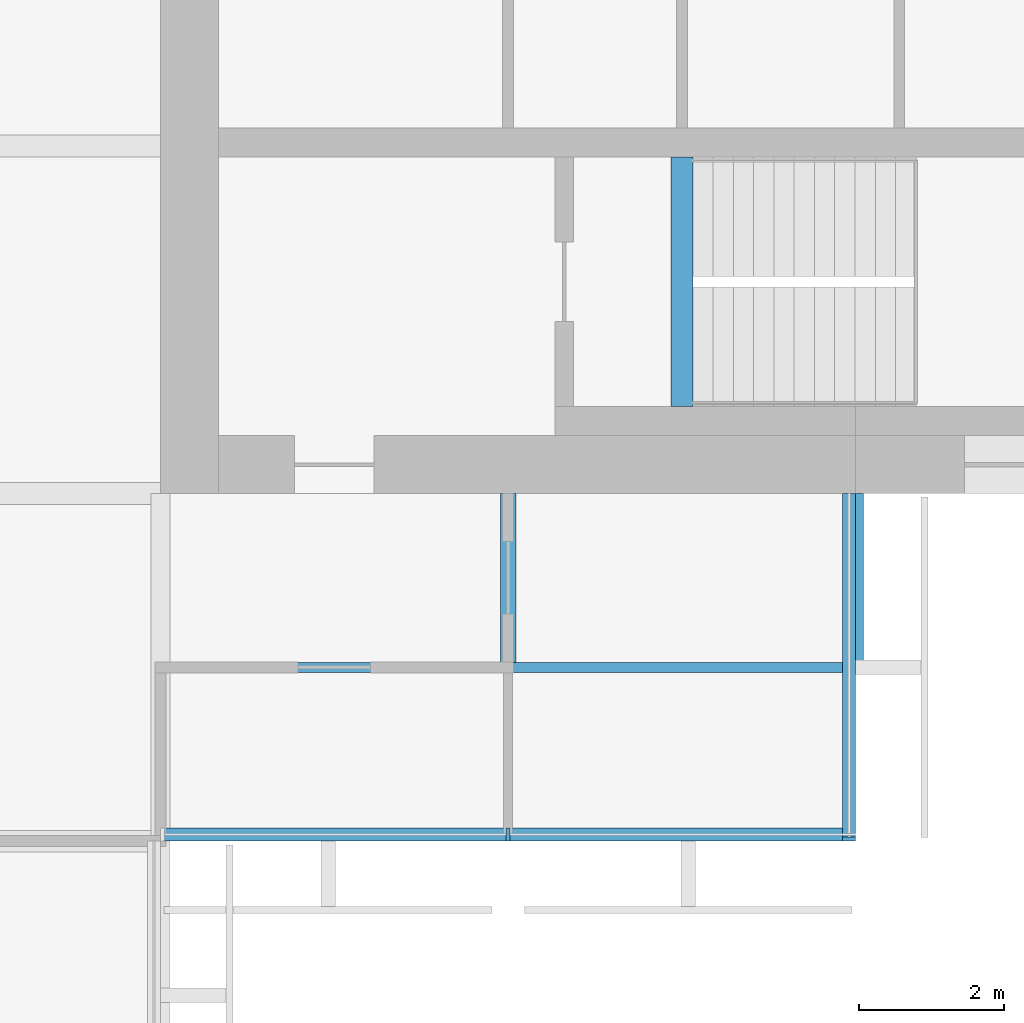
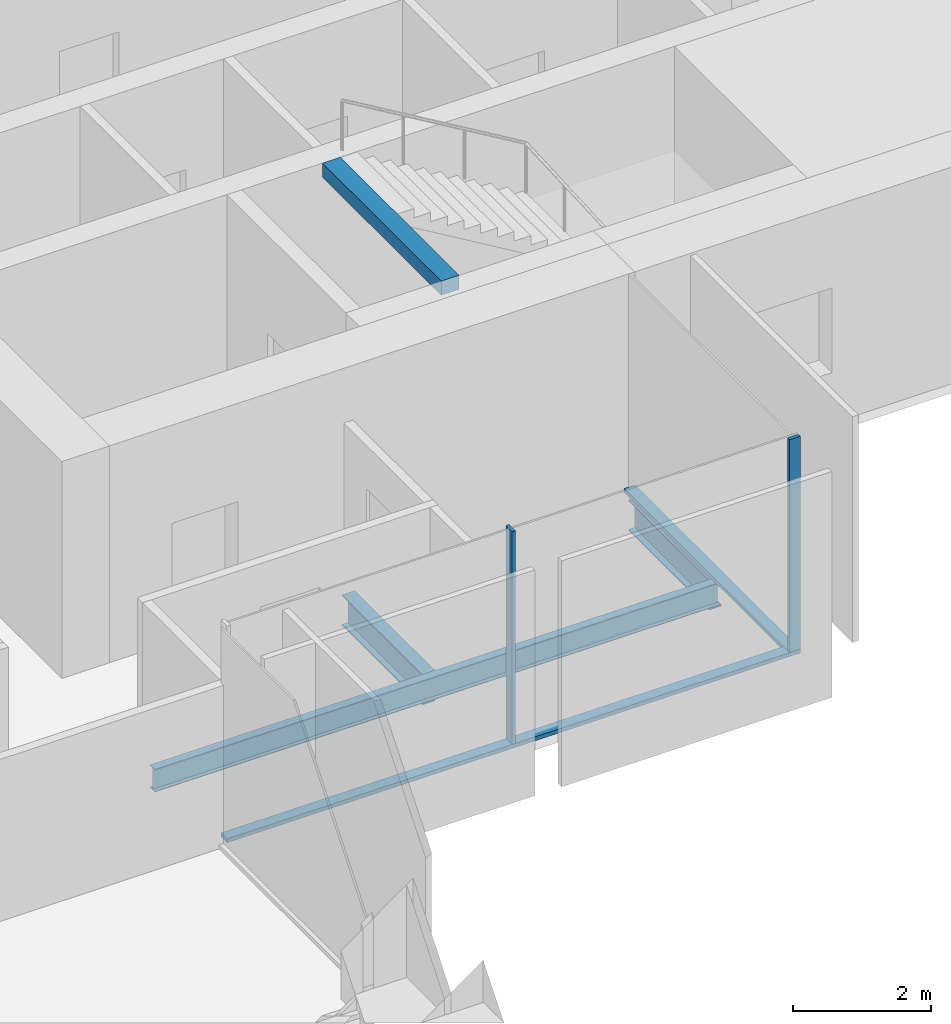
# One storey, part 4 of 13: 4 beams, 4 members, 2 elements without a shape of their own.
"""IFC4 building model written with IfcOpenShell, lengths in metres."""

from ifc_helpers import new_model, si_unit, direction, frame, origin, origin_2d, place, context, subcontext, project, spatial, rectangle, i_section, extrude, material, material_profile, profile_set, type_object, element, aggregate, save


model = new_model("IFC4")

# Units and contexts
model_context = context("Model", 3, precision=1e-05, world=origin(), true_north=direction((0.0, 1.0)))
body_context = subcontext(model_context, "Body", "Model", "MODEL_VIEW")
ifc_project = project(units=[si_unit("LENGTHUNIT", "METRE"), si_unit("AREAUNIT", "SQUARE_METRE"), si_unit("VOLUMEUNIT", "CUBIC_METRE"), si_unit("PLANEANGLEUNIT", "RADIAN"), si_unit("MASSUNIT", "GRAM", prefix="KILO")], contexts=[model_context])

# Site, building, storey
site_placement = place(None, origin())
site = spatial("IfcSite", under=ifc_project, at=site_placement, CompositionType="ELEMENT")
building_placement = place(site_placement, origin())
building = spatial("IfcBuilding", under=site, at=building_placement, Name="Baori Bourse Tower", CompositionType="ELEMENT")
storey_placement = place(building_placement, frame((0.0, 0.0, 213.199951171875)))
storey = spatial("IfcBuildingStorey", under=building, at=storey_placement, Name="L46", CompositionType="ELEMENT", Elevation=213.199951171875)

# Curtain wall, member
ifc_material_1 = material(Name="Pale anodised aluminium", Category="aluminium")
curtain_wall_type = type_object("IfcCurtainWallType", Name="CW2 Curtain wall", PredefinedType="NOTDEFINED", material=ifc_material_1)
curtain_wall_1_placement = place(storey_placement, origin())
curtain_wall_1 = element("IfcCurtainWall", 1, at=curtain_wall_1_placement, inside=storey, type_object=curtain_wall_type, Name="Curtain wall CW2 L46 13", PredefinedType="NOTDEFINED")
ifc_material_2 = material(Name="Pale anodised aluminium", Category="aluminium")
ifc_material_profile_1 = material_profile(ifc_material_2, rectangle(XDim=0.179931640625, YDim=0.054931640625, at=origin_2d()), Name="Mullion 55x180")
ifc_profile_set_1 = profile_set([ifc_material_profile_1], Name="Pale anodised aluminium")
member_type_1 = type_object("IfcMemberType", Name="CW2 Curtain wall mullion", PredefinedType="MULLION", material=ifc_profile_set_1)
member_1_placement = place(storey_placement, frame((43.199951171875, 4.889892578125, 0.070068359375), z_axis=(0.0, 0.0, 1.0), x_axis=(0.0, 1.0, 0.0)))
member_1 = element("IfcMember", 2, at=member_1_placement, type_object=member_type_1, Name="Curtain wall CW2 mullion", PredefinedType="MULLION", context=body_context, shape_type="SweptSolid", body=[
    extrude(rectangle(XDim=0.179931640625, YDim=0.054931640625, at=origin_2d()), origin(), (0.0, 0.0, 1.0), 3.77001953125),
])

curtain_wall_2_placement = place(storey_placement, origin())
curtain_wall_2 = element("IfcCurtainWall", 3, at=curtain_wall_2_placement, inside=storey, type_object=curtain_wall_type, Name="Curtain wall CW2 L46 14", PredefinedType="NOTDEFINED")
member_2_placement = place(storey_placement, frame((47.909912109375, 4.827392578125, 0.070068359375), z_axis=(0.0, 0.0, 1.0), x_axis=(-1.0, 0.0, 0.0)))
member_2 = element("IfcMember", 4, at=member_2_placement, type_object=member_type_1, Name="Curtain wall CW2 mullion", PredefinedType="MULLION", context=body_context, shape_type="SweptSolid", body=[
    extrude(rectangle(XDim=0.179931640625, YDim=0.054931640625, at=origin_2d()), origin(), (0.0, 0.0, 1.0), 3.77001953125),
])

# Member
ifc_material_3 = material(Name="Pale anodised aluminium", Category="aluminium")
ifc_material_profile_2 = material_profile(ifc_material_3, rectangle(XDim=0.179931640625, YDim=0.070068359375, at=origin_2d()), Name="Transom 70x180")
ifc_profile_set_2 = profile_set([ifc_material_profile_2], Name="Pale anodised aluminium")
member_type_2 = type_object("IfcMemberType", Name="CW2 Curtain wall transom", PredefinedType="USERDEFINED", material=ifc_profile_set_2)
member_3_placement = place(storey_placement, frame((38.39990234375, 4.889892578125, 0.03515625), z_axis=(1.0, 0.0, 0.0), x_axis=(0.0, 1.0, 0.0)))
member_3 = element("IfcMember", 5, at=member_3_placement, type_object=member_type_2, Name="Curtain wall CW2 sill rail", ObjectType="TRANSOM", PredefinedType="USERDEFINED", context=body_context, shape_type="SweptSolid", body=[
    extrude(rectangle(XDim=0.179931640625, YDim=0.070068359375, at=origin_2d()), origin(), (0.0, 0.0, 1.0), 9.60009765625),
])

aggregate(curtain_wall_1, [member_3, member_1])

member_4_placement = place(storey_placement, frame((47.909912109375, 4.800048828125, 0.03515625), z_axis=(0.0, 1.0, 0.0), x_axis=(-1.0, 0.0, 0.0)))
member_4 = element("IfcMember", 6, at=member_4_placement, type_object=member_type_2, Name="Curtain wall CW2 sill rail", ObjectType="TRANSOM", PredefinedType="USERDEFINED", context=body_context, shape_type="SweptSolid", body=[
    extrude(rectangle(XDim=0.179931640625, YDim=0.070068359375, at=origin_2d()), origin(), (0.0, 0.0, 1.0), 4.800048828125),
])

aggregate(curtain_wall_2, [member_4, member_2])

# Beams
ifc_material_4 = material(Name="Steel A992 Gr 50", Category="steel")
ifc_material_profile_3 = material_profile(ifc_material_4, i_section(OverallWidth=0.21240234375, OverallDepth=0.54345703125, WebThickness=0.01318359375, FlangeThickness=0.021240234375, at=origin_2d()), Name="W21x83")
ifc_profile_set_3 = profile_set([ifc_material_profile_3], Name="Steel A992 Gr 50")
beam_type_1 = type_object("IfcBeamType", Name="Core bracket W21x83", PredefinedType="BEAM", material=ifc_profile_set_3)
for number, where, z_axis, x_axis, name in (
    (7, (43.199951171875, 7.270263671875, -0.431640625), (0.0, 1.0, 0.0), (-1.0, 0.0, 0.0), "Core bracket L46"),
    (8, (48.0, 7.270263671875, -0.431640625), (0.0, 1.0, 0.0), (-1.0, 0.0, 0.0), "Core bracket L46"),
):
    element("IfcBeam", number, at=place(storey_placement, frame(where, z_axis=z_axis, x_axis=x_axis)), inside=storey, type_object=beam_type_1, Name=name, PredefinedType="BEAM", context=body_context, shape_type="SweptSolid", body=[
        extrude(i_section(OverallWidth=0.21240234375, OverallDepth=0.54345703125, WebThickness=0.01318359375, FlangeThickness=0.021240234375, at=origin_2d()), origin(), (0.0, 0.0, 1.0), 2.329833984375),
    ])
ifc_material_5 = material(Name="Concrete f'c 50 MPa", Category="concrete")
ifc_material_profile_4 = material_profile(ifc_material_5, rectangle(XDim=0.300048828125, YDim=0.25, at=origin_2d()), Name="RC 300x250")
ifc_profile_set_4 = profile_set([ifc_material_profile_4], Name="Concrete f'c 50 MPa")
beam_type_2 = type_object("IfcBeamType", Name="Stair nib beam RC 300x250", PredefinedType="BEAM", material=ifc_profile_set_4)
beam_1_placement = place(storey_placement, frame((45.60009765625, 10.800048828125, 3.715087890625), z_axis=(0.0, 1.0, 0.0), x_axis=(-1.0, 0.0, 0.0)))
element("IfcBeam", 9, at=beam_1_placement, inside=storey, type_object=beam_type_2, Name="Stair EA nib beam L47", PredefinedType="BEAM", context=body_context, shape_type="SweptSolid", body=[
    extrude(rectangle(XDim=0.300048828125, YDim=0.25, at=origin_2d()), origin(), (0.0, 0.0, 1.0), 3.449951171875),
])
ifc_material_6 = material(Name="Steel A992 Gr 50", Category="steel")
ifc_material_profile_5 = material_profile(ifc_material_6, i_section(OverallWidth=0.140380859375, OverallDepth=0.40380859375, WebThickness=0.007080078125, FlangeThickness=0.01123046875, at=origin_2d()), Name="W16x31")
ifc_profile_set_5 = profile_set([ifc_material_profile_5], Name="Steel A992 Gr 50")
beam_type_3 = type_object("IfcBeamType", Name="Trimmer beam W16x31", PredefinedType="BEAM", material=ifc_profile_set_5)
beam_2_placement = place(storey_placement, frame((38.533447265625, 7.199951171875, -0.36181640625), z_axis=(1.0, 0.0, 0.0), x_axis=(0.0, 1.0, 0.0)))
element("IfcBeam", 10, at=beam_2_placement, inside=storey, type_object=beam_type_3, Name="Trimmer beam L46", PredefinedType="BEAM", context=body_context, shape_type="SweptSolid", body=[
    extrude(i_section(OverallWidth=0.140380859375, OverallDepth=0.40380859375, WebThickness=0.007080078125, FlangeThickness=0.01123046875, at=origin_2d()), origin(), (0.0, 0.0, 1.0), 9.466552734375),
])

save(model, "model.ifc")
